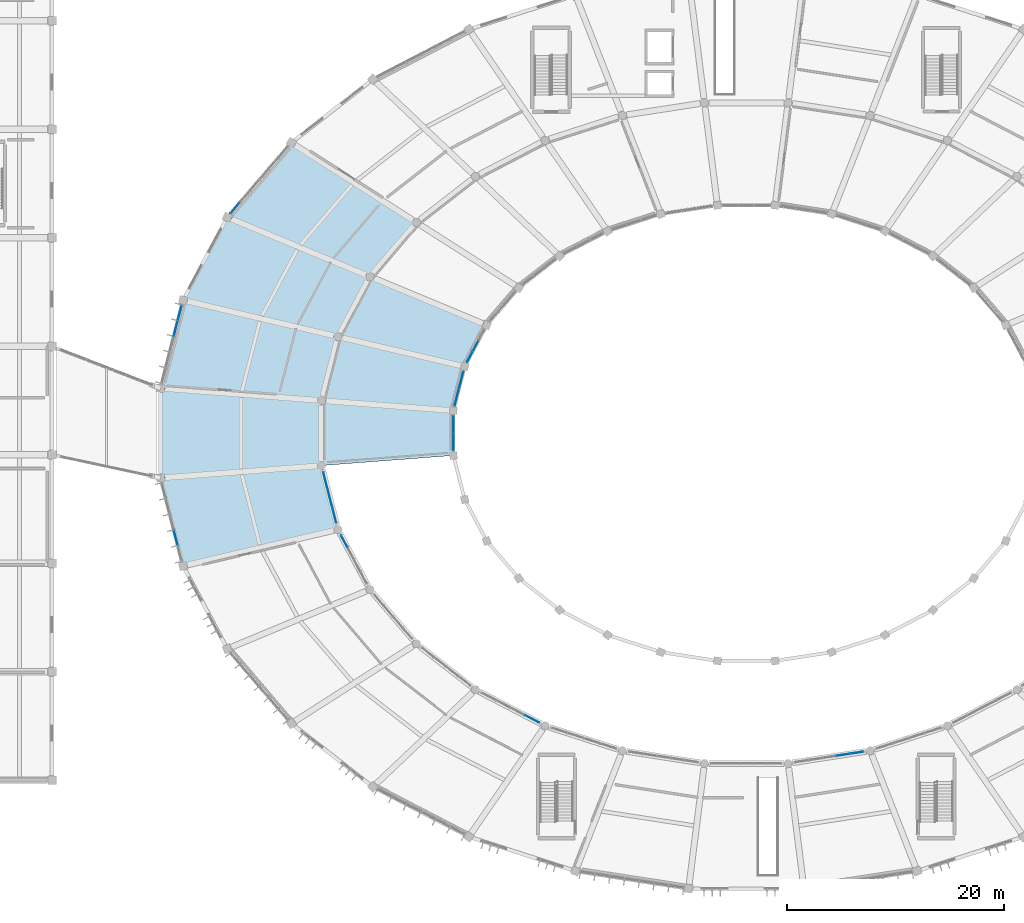
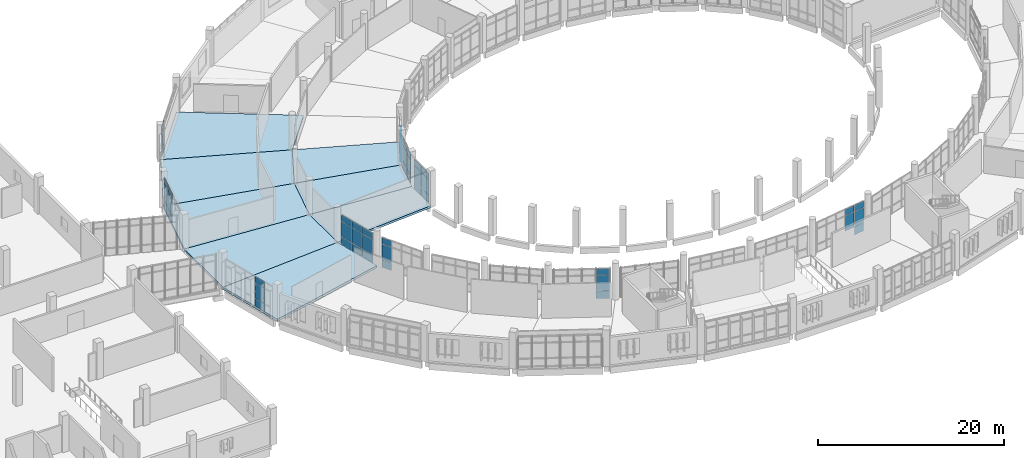
# One storey, part 88 of 179: 48 plates, 8 slabs, 10 elements without a shape of their own.
"""IFC4 building model written with IfcOpenShell, lengths in metres."""

from ifc_helpers import new_model, si_unit, direction, frame, origin, origin_2d, place, context, subcontext, project, spatial, polyline, rectangle, outline, extrude, material, layer, layer_set, type_object, element, aggregate, save


model = new_model("IFC4")

# Units and contexts
model_context = context("Model", 3, precision=1e-05, world=origin(), true_north=direction((0.0, 1.0)))
body_context = subcontext(model_context, "Body", "Model", "MODEL_VIEW")
ifc_project = project(units=[si_unit("LENGTHUNIT", "METRE"), si_unit("AREAUNIT", "SQUARE_METRE"), si_unit("VOLUMEUNIT", "CUBIC_METRE"), si_unit("PLANEANGLEUNIT", "RADIAN"), si_unit("MASSUNIT", "GRAM", prefix="KILO")], contexts=[model_context])

# Site, building, storey
site_placement = place(None, origin())
site = spatial("IfcSite", under=ifc_project, at=site_placement, CompositionType="ELEMENT")
building_placement = place(site_placement, origin())
building = spatial("IfcBuilding", under=site, at=building_placement, Name="Corvandel Quay Wholesale Market", CompositionType="ELEMENT")
storey_placement = place(building_placement, frame((0.0, 0.0, 6.0)))
storey = spatial("IfcBuildingStorey", under=building, at=storey_placement, Name="L01", CompositionType="ELEMENT", Elevation=6.0)

# Curtain wall, plates
ifc_material_1 = material(Name="Bronze anodised aluminium and low-E insulated glazing", Category="aluminium")
ifc_layer_1 = layer(ifc_material_1, 0.18603515625)
ifc_layer_set_1 = layer_set([ifc_layer_1], Name="Bronze anodised aluminium and low-E insulated glazing")
curtain_wall_type_1 = type_object("IfcCurtainWallType", Name="Stick Curtain Wall System CW28 H5520", PredefinedType="NOTDEFINED", material=ifc_layer_set_1)
curtain_wall_1_placement = place(storey_placement, origin())
curtain_wall_1 = element("IfcCurtainWall", 1, at=curtain_wall_1_placement, inside=storey, type_object=curtain_wall_type_1, Name="Curtain Wall CW-0041", PredefinedType="NOTDEFINED")
ifc_material_2 = material(Name="Solar-control low-E insulated glazing", Category="glass")
ifc_layer_2 = layer(ifc_material_2, 0.033935546875)
ifc_layer_set_2 = layer_set([ifc_layer_2], Name="Solar-control low-E insulated glazing")
plate_type_1 = type_object("IfcPlateType", Name="Acoustic Laminated Vision Panel PN02 34mm", PredefinedType="CURTAIN_PANEL", material=ifc_layer_set_2)
plate_1_placement = place(storey_placement, frame((89.055419921875, 50.035888671875, 0.02978515625), z_axis=(0.0, 0.0, 1.0), x_axis=(0.469933808689, 0.882701657102, 0.0)))
plate_1 = element("IfcPlate", 2, at=plate_1_placement, type_object=plate_type_1, Name="Glazing Panel CW-0041-P01-0", PredefinedType="CURTAIN_PANEL", context=body_context, shape_type="SweptSolid", body=[
    extrude(rectangle(XDim=1.071533203125, YDim=0.033935546875, at=origin_2d()), origin(), (0.0, 0.0, 1.0), 0.989990234375),
])
plate_2_placement = place(storey_placement, frame((88.521240234375, 49.03271484375, 0.02978515625), z_axis=(0.0, 0.0, 1.0), x_axis=(0.469933808689, 0.882701657102, 0.0)))
plate_2 = element("IfcPlate", 3, at=plate_2_placement, type_object=plate_type_1, Name="Glazing Panel CW-0041-P02-0", PredefinedType="CURTAIN_PANEL", context=body_context, shape_type="SweptSolid", body=[
    extrude(rectangle(XDim=1.071533203125, YDim=0.033935546875, at=origin_2d()), origin(), (0.0, 0.0, 1.0), 0.989990234375),
])
plate_3_placement = place(storey_placement, frame((88.521240234375, 49.03271484375, 1.080078125), z_axis=(0.0, 0.0, 1.0), x_axis=(0.469933808689, 0.882701657102, 0.0)))
plate_3 = element("IfcPlate", 4, at=plate_3_placement, type_object=plate_type_1, Name="Glazing Panel CW-0041-P02-1", PredefinedType="CURTAIN_PANEL", context=body_context, shape_type="SweptSolid", body=[
    extrude(rectangle(XDim=1.071533203125, YDim=0.033935546875, at=origin_2d()), origin(), (0.0, 0.0, 1.0), 1.989990234375),
])

ifc_layer_3 = layer(ifc_material_1, 0.162109375)
ifc_layer_set_3 = layer_set([ifc_layer_3], Name="Bronze anodised aluminium and low-E insulated glazing")
curtain_wall_type_2 = type_object("IfcCurtainWallType", Name="Stick Curtain Wall System CW01 H3090", PredefinedType="NOTDEFINED", material=ifc_layer_set_3)
curtain_wall_2_placement = place(storey_placement, origin())
curtain_wall_2 = element("IfcCurtainWall", 5, at=curtain_wall_2_placement, inside=storey, type_object=curtain_wall_type_2, Name="Curtain Wall CW-0044", PredefinedType="NOTDEFINED")
plate_4_placement = place(storey_placement, frame((87.721435546875, 46.887939453125, 0.02978515625), z_axis=(0.0, 0.0, 1.0), x_axis=(0.247844544316, 0.968799815159, 0.0)))
plate_4 = element("IfcPlate", 6, at=plate_4_placement, type_object=plate_type_1, Name="Glazing Panel CW-0044-P00-0", PredefinedType="CURTAIN_PANEL", context=body_context, shape_type="SweptSolid", body=[
    extrude(rectangle(XDim=1.56884765625, YDim=0.033935546875, at=origin_2d()), origin(), (0.0, 0.0, 1.0), 0.989990234375),
])
plate_5_placement = place(storey_placement, frame((87.721435546875, 46.887939453125, 1.080078125), z_axis=(0.0, 0.0, 1.0), x_axis=(0.247844544316, 0.968799815159, 0.0)))
plate_5 = element("IfcPlate", 7, at=plate_5_placement, type_object=plate_type_1, Name="Glazing Panel CW-0044-P00-1", PredefinedType="CURTAIN_PANEL", context=body_context, shape_type="SweptSolid", body=[
    extrude(rectangle(XDim=1.56884765625, YDim=0.033935546875, at=origin_2d()), origin(), (0.0, 0.0, 1.0), 1.989990234375),
])
plate_6_placement = place(storey_placement, frame((87.31640625, 45.30517578125, 0.02978515625), z_axis=(0.0, 0.0, 1.0), x_axis=(0.247844544316, 0.968799815159, 0.0)))
plate_6 = element("IfcPlate", 8, at=plate_6_placement, type_object=plate_type_1, Name="Glazing Panel CW-0044-P01-0", PredefinedType="CURTAIN_PANEL", context=body_context, shape_type="SweptSolid", body=[
    extrude(rectangle(XDim=1.56884765625, YDim=0.033935546875, at=origin_2d()), origin(), (0.0, 0.0, 1.0), 0.989990234375),
])
plate_7_placement = place(storey_placement, frame((87.31640625, 45.30517578125, 1.080078125), z_axis=(0.0, 0.0, 1.0), x_axis=(0.247844544316, 0.968799815159, 0.0)))
plate_7 = element("IfcPlate", 9, at=plate_7_placement, type_object=plate_type_1, Name="Glazing Panel CW-0044-P01-1", PredefinedType="CURTAIN_PANEL", context=body_context, shape_type="SweptSolid", body=[
    extrude(rectangle(XDim=1.56884765625, YDim=0.033935546875, at=origin_2d()), origin(), (0.0, 0.0, 1.0), 1.989990234375),
])

ifc_layer_4 = layer(ifc_material_1, 0.174072265625)
ifc_layer_set_4 = layer_set([ifc_layer_4], Name="Bronze anodised aluminium and low-E insulated glazing")
curtain_wall_type_3 = type_object("IfcCurtainWallType", Name="Stick Curtain Wall System CW02 H3180", PredefinedType="NOTDEFINED", material=ifc_layer_set_4)
curtain_wall_3_placement = place(storey_placement, origin())
curtain_wall_3 = element("IfcCurtainWall", 10, at=curtain_wall_3_placement, inside=storey, type_object=curtain_wall_type_3, Name="Curtain Wall CW-0046", PredefinedType="NOTDEFINED")
plate_8_placement = place(storey_placement, frame((87.0, 42.803955078125, 0.02978515625), z_axis=(0.0, 0.0, 1.0), x_axis=(0.0, 1.0, 0.0)))
plate_8 = element("IfcPlate", 11, at=plate_8_placement, type_object=plate_type_1, Name="Glazing Panel CW-0046-P00-0", PredefinedType="CURTAIN_PANEL", context=body_context, shape_type="SweptSolid", body=[
    extrude(rectangle(XDim=1.54296875, YDim=0.033935546875, at=origin_2d()), origin(), (0.0, 0.0, 1.0), 0.989990234375),
])
plate_9_placement = place(storey_placement, frame((87.0, 42.803955078125, 1.080078125), z_axis=(0.0, 0.0, 1.0), x_axis=(0.0, 1.0, 0.0)))
plate_9 = element("IfcPlate", 12, at=plate_9_placement, type_object=plate_type_1, Name="Glazing Panel CW-0046-P00-1", PredefinedType="CURTAIN_PANEL", context=body_context, shape_type="SweptSolid", body=[
    extrude(rectangle(XDim=1.54296875, YDim=0.033935546875, at=origin_2d()), origin(), (0.0, 0.0, 1.0), 1.989990234375),
])
plate_10_placement = place(storey_placement, frame((87.0, 41.196044921875, 0.02978515625), z_axis=(0.0, 0.0, 1.0), x_axis=(0.0, 1.0, 0.0)))
plate_10 = element("IfcPlate", 13, at=plate_10_placement, type_object=plate_type_1, Name="Glazing Panel CW-0046-P01-0", PredefinedType="CURTAIN_PANEL", context=body_context, shape_type="SweptSolid", body=[
    extrude(rectangle(XDim=1.54296875, YDim=0.033935546875, at=origin_2d()), origin(), (0.0, 0.0, 1.0), 0.989990234375),
])
plate_11_placement = place(storey_placement, frame((87.0, 41.196044921875, 1.080078125), z_axis=(0.0, 0.0, 1.0), x_axis=(0.0, 1.0, 0.0)))
plate_11 = element("IfcPlate", 14, at=plate_11_placement, type_object=plate_type_1, Name="Glazing Panel CW-0046-P01-1", PredefinedType="CURTAIN_PANEL", context=body_context, shape_type="SweptSolid", body=[
    extrude(rectangle(XDim=1.54296875, YDim=0.033935546875, at=origin_2d()), origin(), (0.0, 0.0, 1.0), 1.989990234375),
])

# Curtain wall, plate
ifc_layer_5 = layer(ifc_material_1, 0.174072265625)
ifc_layer_set_5 = layer_set([ifc_layer_5], Name="Bronze anodised aluminium and low-E insulated glazing")
curtain_wall_type_4 = type_object("IfcCurtainWallType", Name="Stick Curtain Wall System CW17 H4530", PredefinedType="NOTDEFINED", material=ifc_layer_set_5)
curtain_wall_4_placement = place(storey_placement, origin())
curtain_wall_4 = element("IfcCurtainWall", 15, at=curtain_wall_4_placement, inside=storey, type_object=curtain_wall_type_4, Name="Curtain Wall CW-0036", PredefinedType="NOTDEFINED")
ifc_layer_6 = layer(ifc_material_2, 0.0400390625)
ifc_layer_set_6 = layer_set([ifc_layer_6], Name="Solar-control low-E insulated glazing")
plate_type_2 = type_object("IfcPlateType", Name="Ceramic Fritted Spandrel Panel PN03 40mm", PredefinedType="CURTAIN_PANEL", material=ifc_layer_set_6)
plate_12_placement = place(storey_placement, frame((66.8828125, 62.751708984375, 3.1298828125), z_axis=(0.0, 0.0, 1.0), x_axis=(0.651568967347, 0.758589401976, 0.0)))
plate_12 = element("IfcPlate", 16, at=plate_12_placement, type_object=plate_type_2, Name="Glazing Panel CW-0036-P05-2", PredefinedType="CURTAIN_PANEL", context=body_context, shape_type="SweptSolid", body=[
    extrude(rectangle(XDim=1.29638671875, YDim=0.0400390625, at=origin_2d()), origin(), (0.0, 0.0, 1.0), 0.7900390625),
])

# Plate
plate_13_placement = place(storey_placement, frame((88.521240234375, 49.03271484375, 3.1298828125), z_axis=(0.0, 0.0, 1.0), x_axis=(0.469933808689, 0.882701657102, 0.0)))
plate_13 = element("IfcPlate", 17, at=plate_13_placement, type_object=plate_type_2, Name="Glazing Panel CW-0041-P02-2", PredefinedType="CURTAIN_PANEL", context=body_context, shape_type="SweptSolid", body=[
    extrude(rectangle(XDim=1.071533203125, YDim=0.0400390625, at=origin_2d()), origin(), (0.0, 0.0, 1.0), 0.7900390625),
])

aggregate(curtain_wall_1, [plate_1, plate_2, plate_3, plate_13])

# Curtain wall, plates
ifc_layer_7 = layer(ifc_material_1, 0.197998046875)
ifc_layer_set_7 = layer_set([ifc_layer_7], Name="Bronze anodised aluminium and low-E insulated glazing")
curtain_wall_type_5 = type_object("IfcCurtainWallType", Name="Stick Curtain Wall System CW19 H4710", PredefinedType="NOTDEFINED", material=ifc_layer_set_7)
curtain_wall_5_placement = place(storey_placement, origin())
curtain_wall_5 = element("IfcCurtainWall", 18, at=curtain_wall_5_placement, inside=storey, type_object=curtain_wall_type_5, Name="Curtain Wall CW-0043", PredefinedType="NOTDEFINED")
plate_14_placement = place(storey_placement, frame((61.7783203125, 53.0908203125, 3.1298828125), z_axis=(0.0, 0.0, 1.0), x_axis=(0.247675453076, 0.968843057437, 0.0)))
plate_14 = element("IfcPlate", 19, at=plate_14_placement, type_object=plate_type_2, Name="Glazing Panel CW-0043-P00-2", PredefinedType="CURTAIN_PANEL", context=body_context, shape_type="SweptSolid", body=[
    extrude(rectangle(XDim=1.429931640625, YDim=0.0400390625, at=origin_2d()), origin(), (0.0, 0.0, 1.0), 0.7900390625),
])
plate_15_placement = place(storey_placement, frame((61.407958984375, 51.642333984375, 3.1298828125), z_axis=(0.0, 0.0, 1.0), x_axis=(0.247675453076, 0.968843057437, 0.0)))
plate_15 = element("IfcPlate", 20, at=plate_15_placement, type_object=plate_type_2, Name="Glazing Panel CW-0043-P01-2", PredefinedType="CURTAIN_PANEL", context=body_context, shape_type="SweptSolid", body=[
    extrude(rectangle(XDim=1.429931640625, YDim=0.0400390625, at=origin_2d()), origin(), (0.0, 0.0, 1.0), 0.7900390625),
])

# Plate
plate_16_placement = place(storey_placement, frame((87.721435546875, 46.887939453125, 3.1298828125), z_axis=(0.0, 0.0, 1.0), x_axis=(0.247844544316, 0.968799815159, 0.0)))
plate_16 = element("IfcPlate", 21, at=plate_16_placement, type_object=plate_type_2, Name="Glazing Panel CW-0044-P00-2", PredefinedType="CURTAIN_PANEL", context=body_context, shape_type="SweptSolid", body=[
    extrude(rectangle(XDim=1.56884765625, YDim=0.0400390625, at=origin_2d()), origin(), (0.0, 0.0, 1.0), 0.7900390625),
])

plate_17_placement = place(storey_placement, frame((87.31640625, 45.30517578125, 3.1298828125), z_axis=(0.0, 0.0, 1.0), x_axis=(0.247844544316, 0.968799815159, 0.0)))
plate_17 = element("IfcPlate", 22, at=plate_17_placement, type_object=plate_type_2, Name="Glazing Panel CW-0044-P01-2", PredefinedType="CURTAIN_PANEL", context=body_context, shape_type="SweptSolid", body=[
    extrude(rectangle(XDim=1.56884765625, YDim=0.0400390625, at=origin_2d()), origin(), (0.0, 0.0, 1.0), 0.7900390625),
])

aggregate(curtain_wall_2, [plate_4, plate_5, plate_16, plate_6, plate_7, plate_17])

plate_18_placement = place(storey_placement, frame((87.0, 42.803955078125, 3.1298828125), z_axis=(0.0, 0.0, 1.0), x_axis=(0.0, 1.0, 0.0)))
plate_18 = element("IfcPlate", 23, at=plate_18_placement, type_object=plate_type_2, Name="Glazing Panel CW-0046-P00-2", PredefinedType="CURTAIN_PANEL", context=body_context, shape_type="SweptSolid", body=[
    extrude(rectangle(XDim=1.54296875, YDim=0.0400390625, at=origin_2d()), origin(), (0.0, 0.0, 1.0), 0.7900390625),
])

plate_19_placement = place(storey_placement, frame((87.0, 41.196044921875, 3.1298828125), z_axis=(0.0, 0.0, 1.0), x_axis=(0.0, 1.0, 0.0)))
plate_19 = element("IfcPlate", 24, at=plate_19_placement, type_object=plate_type_2, Name="Glazing Panel CW-0046-P01-2", PredefinedType="CURTAIN_PANEL", context=body_context, shape_type="SweptSolid", body=[
    extrude(rectangle(XDim=1.54296875, YDim=0.0400390625, at=origin_2d()), origin(), (0.0, 0.0, 1.0), 0.7900390625),
])

aggregate(curtain_wall_3, [plate_8, plate_9, plate_18, plate_10, plate_11, plate_19])

# Curtain wall, plate
ifc_layer_8 = layer(ifc_material_1, 0.162109375)
ifc_layer_set_8 = layer_set([ifc_layer_8], Name="Bronze anodised aluminium and low-E insulated glazing")
curtain_wall_type_6 = type_object("IfcCurtainWallType", Name="Stick Curtain Wall System CW21 H4890", PredefinedType="NOTDEFINED", material=ifc_layer_set_8)
curtain_wall_6_placement = place(storey_placement, origin())
curtain_wall_6 = element("IfcCurtainWall", 25, at=curtain_wall_6_placement, inside=storey, type_object=curtain_wall_type_6, Name="Curtain Wall CW-0048", PredefinedType="NOTDEFINED")
plate_20_placement = place(storey_placement, frame((61.407958984375, 32.357666015625, 3.1298828125), z_axis=(0.0, 0.0, 1.0), x_axis=(-0.247675453076, 0.968843057437, 0.0)))
plate_20 = element("IfcPlate", 26, at=plate_20_placement, type_object=plate_type_2, Name="Glazing Panel CW-0048-P03-2", PredefinedType="CURTAIN_PANEL", context=body_context, shape_type="SweptSolid", body=[
    extrude(rectangle(XDim=1.429931640625, YDim=0.0400390625, at=origin_2d()), origin(), (0.0, 0.0, 1.0), 0.7900390625),
])

# Curtain wall, plates
ifc_layer_9 = layer(ifc_material_1, 0.174072265625)
ifc_layer_set_9 = layer_set([ifc_layer_9], Name="Bronze anodised aluminium and low-E insulated glazing")
curtain_wall_type_7 = type_object("IfcCurtainWallType", Name="Stick Curtain Wall System CW07 H3630", PredefinedType="NOTDEFINED", material=ifc_layer_set_9)
curtain_wall_7_placement = place(storey_placement, origin())
curtain_wall_7 = element("IfcCurtainWall", 27, at=curtain_wall_7_placement, inside=storey, type_object=curtain_wall_type_7, Name="Curtain Wall CW-0049", PredefinedType="NOTDEFINED")
plate_21_placement = place(storey_placement, frame((75.199951171875, 37.633056640625, 3.1298828125), z_axis=(0.0, 0.0, 1.0), x_axis=(-0.247844544316, 0.968799815159, 0.0)))
plate_21 = element("IfcPlate", 28, at=plate_21_placement, type_object=plate_type_2, Name="Glazing Panel CW-0049-P00-2", PredefinedType="CURTAIN_PANEL", context=body_context, shape_type="SweptSolid", body=[
    extrude(rectangle(XDim=1.55908203125, YDim=0.0400390625, at=origin_2d()), origin(), (0.0, 0.0, 1.0), 0.7900390625),
])
plate_22_placement = place(storey_placement, frame((75.6025390625, 36.0595703125, 3.1298828125), z_axis=(0.0, 0.0, 1.0), x_axis=(-0.247844544316, 0.968799815159, 0.0)))
plate_22 = element("IfcPlate", 29, at=plate_22_placement, type_object=plate_type_2, Name="Glazing Panel CW-0049-P01-2", PredefinedType="CURTAIN_PANEL", context=body_context, shape_type="SweptSolid", body=[
    extrude(rectangle(XDim=1.55908203125, YDim=0.0400390625, at=origin_2d()), origin(), (0.0, 0.0, 1.0), 0.7900390625),
])
plate_23_placement = place(storey_placement, frame((76.0048828125, 34.486083984375, 3.1298828125), z_axis=(0.0, 0.0, 1.0), x_axis=(-0.247844544316, 0.968799815159, 0.0)))
plate_23 = element("IfcPlate", 30, at=plate_23_placement, type_object=plate_type_2, Name="Glazing Panel CW-0049-P02-2", PredefinedType="CURTAIN_PANEL", context=body_context, shape_type="SweptSolid", body=[
    extrude(rectangle(XDim=1.55908203125, YDim=0.0400390625, at=origin_2d()), origin(), (0.0, 0.0, 1.0), 0.7900390625),
])

# Curtain wall, plate
ifc_layer_10 = layer(ifc_material_1, 0.18603515625)
ifc_layer_set_10 = layer_set([ifc_layer_10], Name="Bronze anodised aluminium and low-E insulated glazing")
curtain_wall_type_8 = type_object("IfcCurtainWallType", Name="Stick Curtain Wall System CW08 H3720", PredefinedType="NOTDEFINED", material=ifc_layer_set_10)
curtain_wall_8_placement = place(storey_placement, origin())
curtain_wall_8 = element("IfcCurtainWall", 31, at=curtain_wall_8_placement, inside=storey, type_object=curtain_wall_type_8, Name="Curtain Wall CW-0051", PredefinedType="NOTDEFINED")
plate_24_placement = place(storey_placement, frame((76.935302734375, 32.0283203125, 3.1298828125), z_axis=(0.0, 0.0, 1.0), x_axis=(-0.470087862033, 0.882619624736, 0.0)))
plate_24 = element("IfcPlate", 32, at=plate_24_placement, type_object=plate_type_2, Name="Glazing Panel CW-0051-P00-2", PredefinedType="CURTAIN_PANEL", context=body_context, shape_type="SweptSolid", body=[
    extrude(rectangle(XDim=1.20458984375, YDim=0.0400390625, at=origin_2d()), origin(), (0.0, 0.0, 1.0), 0.7900390625),
])

ifc_layer_11 = layer(ifc_material_1, 0.162109375)
ifc_layer_set_11 = layer_set([ifc_layer_11], Name="Bronze anodised aluminium and low-E insulated glazing")
curtain_wall_type_9 = type_object("IfcCurtainWallType", Name="Stick Curtain Wall System CW11 H3990", PredefinedType="NOTDEFINED", material=ifc_layer_set_11)
curtain_wall_9_placement = place(storey_placement, origin())
curtain_wall_9 = element("IfcCurtainWall", 33, at=curtain_wall_9_placement, inside=storey, type_object=curtain_wall_type_9, Name="Curtain Wall CW-0061", PredefinedType="NOTDEFINED")
plate_25_placement = place(storey_placement, frame((94.255126953125, 15.639892578125, 3.1298828125), z_axis=(0.0, 0.0, 1.0), x_axis=(-0.887332978338, 0.461129250378, 0.0)))
plate_25 = element("IfcPlate", 34, at=plate_25_placement, type_object=plate_type_2, Name="Glazing Panel CW-0061-P03-2", PredefinedType="CURTAIN_PANEL", context=body_context, shape_type="SweptSolid", body=[
    extrude(rectangle(XDim=1.44189453125, YDim=0.0400390625, at=origin_2d()), origin(), (0.0, 0.0, 1.0), 0.7900390625),
])

# Curtain wall, plates
ifc_layer_12 = layer(ifc_material_1, 0.14990234375)
ifc_layer_set_12 = layer_set([ifc_layer_12], Name="Bronze anodised aluminium and low-E insulated glazing")
curtain_wall_type_10 = type_object("IfcCurtainWallType", Name="Stick Curtain Wall System CW15 H4350", PredefinedType="NOTDEFINED", material=ifc_layer_set_12)
curtain_wall_10_placement = place(storey_placement, origin())
curtain_wall_10 = element("IfcCurtainWall", 35, at=curtain_wall_10_placement, inside=storey, type_object=curtain_wall_type_10, Name="Curtain Wall CW-0073", PredefinedType="NOTDEFINED")
plate_26_placement = place(storey_placement, frame((122.91357421875, 12.332275390625, 3.1298828125), z_axis=(0.0, 0.0, 1.0), x_axis=(0.98825506746, 0.152813355565, 0.0)))
plate_26 = element("IfcPlate", 36, at=plate_26_placement, type_object=plate_type_2, Name="Glazing Panel CW-0073-P03-2", PredefinedType="CURTAIN_PANEL", context=body_context, shape_type="SweptSolid", body=[
    extrude(rectangle(XDim=1.225830078125, YDim=0.0400390625, at=origin_2d()), origin(), (0.0, 0.0, 1.0), 0.7900390625),
])
plate_27_placement = place(storey_placement, frame((124.189208984375, 12.529541015625, 3.1298828125), z_axis=(0.0, 0.0, 1.0), x_axis=(0.98825506746, 0.152813355565, 0.0)))
plate_27 = element("IfcPlate", 37, at=plate_27_placement, type_object=plate_type_2, Name="Glazing Panel CW-0073-P04-2", PredefinedType="CURTAIN_PANEL", context=body_context, shape_type="SweptSolid", body=[
    extrude(rectangle(XDim=1.225830078125, YDim=0.0400390625, at=origin_2d()), origin(), (0.0, 0.0, 1.0), 0.7900390625),
])

# Slabs
ifc_material_3 = material(Name="Concrete C40/50", Category="concrete")
ifc_layer_13 = layer(ifc_material_3, 0.280029296875)
ifc_layer_set_13 = layer_set([ifc_layer_13], Name="Concrete C40/50")
slab_type_1 = type_object("IfcSlabType", Name="Composite Sorting Gallery Floor Slab 280", PredefinedType="FLOOR", material=ifc_layer_set_13)
slab_1_placement = place(storey_placement, frame((0.0, 0.0, -0.280029296875)))
element("IfcSlab", 38, at=slab_1_placement, inside=storey, type_object=slab_type_1, Name="Slab SLB-0070", PredefinedType="FLOOR", context=body_context, shape_type="SweptSolid", body=[
    extrude(outline(polyline([(90.072998046875, 51.947021484375), (88.0380859375, 48.125), (76.35498046875, 50.882080078125), (79.305908203125, 56.423095703125), (90.072998046875, 51.947021484375)])), origin(), (0.0, 0.0, 1.0), 0.280029296875),
])
slab_2_placement = place(storey_placement, frame((0.0, 0.0, -0.280029296875)))
element("IfcSlab", 39, at=slab_2_placement, inside=storey, type_object=slab_type_1, Name="Slab SLB-0075", PredefinedType="FLOOR", context=body_context, shape_type="SweptSolid", body=[
    extrude(outline(polyline([(88.0380859375, 48.125), (87.0, 44.068115234375), (74.85009765625, 44.9990234375), (76.35498046875, 50.882080078125), (88.0380859375, 48.125)])), origin(), (0.0, 0.0, 1.0), 0.280029296875),
])
slab_3_placement = place(storey_placement, frame((0.0, 0.0, -0.280029296875)))
element("IfcSlab", 40, at=slab_3_placement, inside=storey, type_object=slab_type_1, Name="Slab SLB-0080", PredefinedType="FLOOR", context=body_context, shape_type="SweptSolid", body=[
    extrude(outline(polyline([(87.0, 44.068115234375), (87.0, 39.931884765625), (74.85009765625, 39.0009765625), (74.85009765625, 44.9990234375), (87.0, 44.068115234375)])), origin(), (0.0, 0.0, 1.0), 0.280029296875),
])
ifc_layer_14 = layer(ifc_material_3, 0.300048828125)
ifc_layer_set_14 = layer_set([ifc_layer_14], Name="Concrete C40/50")
slab_type_2 = type_object("IfcSlabType", Name="Composite Trading Gallery Floor Slab 300", PredefinedType="FLOOR", material=ifc_layer_set_14)
slab_4_placement = place(storey_placement, frame((0.0, 0.0, -0.300048828125)))
element("IfcSlab", 41, at=slab_4_placement, inside=storey, type_object=slab_type_2, Name="Slab SLB-0064", PredefinedType="FLOOR", context=body_context, shape_type="SweptSolid", body=[
    extrude(outline(polyline([(83.590087890625, 61.410888671875), (79.305908203125, 56.423095703125), (66.14599609375, 61.89404296875), (72.054931640625, 68.77294921875), (83.590087890625, 61.410888671875)])), origin(), (0.0, 0.0, 1.0), 0.300048828125),
])
slab_5_placement = place(storey_placement, frame((0.0, 0.0, -0.300048828125)))
element("IfcSlab", 42, at=slab_5_placement, inside=storey, type_object=slab_type_2, Name="Slab SLB-0069", PredefinedType="FLOOR", context=body_context, shape_type="SweptSolid", body=[
    extrude(outline(polyline([(79.305908203125, 56.423095703125), (76.35498046875, 50.882080078125), (62.074951171875, 54.2509765625), (66.14599609375, 61.89404296875), (79.305908203125, 56.423095703125)])), origin(), (0.0, 0.0, 1.0), 0.300048828125),
])
slab_6_placement = place(storey_placement, frame((0.0, 0.0, -0.300048828125)))
element("IfcSlab", 43, at=slab_6_placement, inside=storey, type_object=slab_type_2, Name="Slab SLB-0074", PredefinedType="FLOOR", context=body_context, shape_type="SweptSolid", body=[
    extrude(outline(polyline([(76.35498046875, 50.882080078125), (74.85009765625, 44.9990234375), (60.0, 46.136962890625), (62.074951171875, 54.2509765625), (76.35498046875, 50.882080078125)])), origin(), (0.0, 0.0, 1.0), 0.300048828125),
])
slab_7_placement = place(storey_placement, frame((0.0, 0.0, -0.300048828125)))
element("IfcSlab", 44, at=slab_7_placement, inside=storey, type_object=slab_type_2, Name="Slab SLB-0079", PredefinedType="FLOOR", context=body_context, shape_type="SweptSolid", body=[
    extrude(outline(polyline([(74.85009765625, 44.9990234375), (74.85009765625, 39.0009765625), (60.0, 37.863037109375), (60.0, 46.136962890625), (74.85009765625, 44.9990234375)])), origin(), (0.0, 0.0, 1.0), 0.300048828125),
])
slab_8_placement = place(storey_placement, frame((0.0, 0.0, -0.300048828125)))
element("IfcSlab", 45, at=slab_8_placement, inside=storey, type_object=slab_type_2, Name="Slab SLB-0084", PredefinedType="FLOOR", context=body_context, shape_type="SweptSolid", body=[
    extrude(outline(polyline([(74.85009765625, 39.0009765625), (76.35498046875, 33.117919921875), (62.074951171875, 29.7490234375), (60.0, 37.863037109375), (74.85009765625, 39.0009765625)])), origin(), (0.0, 0.0, 1.0), 0.300048828125),
])

# Plate
ifc_layer_15 = layer(ifc_material_2, 0.028076171875)
ifc_layer_set_15 = layer_set([ifc_layer_15], Name="Solar-control low-E insulated glazing")
plate_type_3 = type_object("IfcPlateType", Name="Double Low-E Vision Panel PN01 28mm", PredefinedType="CURTAIN_PANEL", material=ifc_layer_set_15)
plate_28_placement = place(storey_placement, frame((66.8828125, 62.751708984375, 0.02978515625), z_axis=(0.0, 0.0, 1.0), x_axis=(0.651568967347, 0.758589401976, 0.0)))
plate_28 = element("IfcPlate", 46, at=plate_28_placement, type_object=plate_type_3, Name="Glazing Panel CW-0036-P05-0", PredefinedType="CURTAIN_PANEL", context=body_context, shape_type="SweptSolid", body=[
    extrude(rectangle(XDim=1.29638671875, YDim=0.028076171875, at=origin_2d()), origin(), (0.0, 0.0, 1.0), 0.989990234375),
])

plate_29_placement = place(storey_placement, frame((66.8828125, 62.751708984375, 1.080078125), z_axis=(0.0, 0.0, 1.0), x_axis=(0.651568967347, 0.758589401976, 0.0)))
plate_29 = element("IfcPlate", 47, at=plate_29_placement, type_object=plate_type_3, Name="Glazing Panel CW-0036-P05-1", PredefinedType="CURTAIN_PANEL", context=body_context, shape_type="SweptSolid", body=[
    extrude(rectangle(XDim=1.29638671875, YDim=0.028076171875, at=origin_2d()), origin(), (0.0, 0.0, 1.0), 1.989990234375),
])

aggregate(curtain_wall_4, [plate_28, plate_29, plate_12])

plate_30_placement = place(storey_placement, frame((61.7783203125, 53.0908203125, 0.02978515625), z_axis=(0.0, 0.0, 1.0), x_axis=(0.247675453076, 0.968843057437, 0.0)))
plate_30 = element("IfcPlate", 48, at=plate_30_placement, type_object=plate_type_3, Name="Glazing Panel CW-0043-P00-0", PredefinedType="CURTAIN_PANEL", context=body_context, shape_type="SweptSolid", body=[
    extrude(rectangle(XDim=1.429931640625, YDim=0.028076171875, at=origin_2d()), origin(), (0.0, 0.0, 1.0), 0.989990234375),
])

plate_31_placement = place(storey_placement, frame((61.7783203125, 53.0908203125, 1.080078125), z_axis=(0.0, 0.0, 1.0), x_axis=(0.247675453076, 0.968843057437, 0.0)))
plate_31 = element("IfcPlate", 49, at=plate_31_placement, type_object=plate_type_3, Name="Glazing Panel CW-0043-P00-1", PredefinedType="CURTAIN_PANEL", context=body_context, shape_type="SweptSolid", body=[
    extrude(rectangle(XDim=1.429931640625, YDim=0.028076171875, at=origin_2d()), origin(), (0.0, 0.0, 1.0), 1.989990234375),
])

plate_32_placement = place(storey_placement, frame((61.407958984375, 51.642333984375, 0.02978515625), z_axis=(0.0, 0.0, 1.0), x_axis=(0.247675453076, 0.968843057437, 0.0)))
plate_32 = element("IfcPlate", 50, at=plate_32_placement, type_object=plate_type_3, Name="Glazing Panel CW-0043-P01-0", PredefinedType="CURTAIN_PANEL", context=body_context, shape_type="SweptSolid", body=[
    extrude(rectangle(XDim=1.429931640625, YDim=0.028076171875, at=origin_2d()), origin(), (0.0, 0.0, 1.0), 0.989990234375),
])

plate_33_placement = place(storey_placement, frame((61.407958984375, 51.642333984375, 1.080078125), z_axis=(0.0, 0.0, 1.0), x_axis=(0.247675453076, 0.968843057437, 0.0)))
plate_33 = element("IfcPlate", 51, at=plate_33_placement, type_object=plate_type_3, Name="Glazing Panel CW-0043-P01-1", PredefinedType="CURTAIN_PANEL", context=body_context, shape_type="SweptSolid", body=[
    extrude(rectangle(XDim=1.429931640625, YDim=0.028076171875, at=origin_2d()), origin(), (0.0, 0.0, 1.0), 1.989990234375),
])

aggregate(curtain_wall_5, [plate_30, plate_31, plate_14, plate_32, plate_33, plate_15])

plate_34_placement = place(storey_placement, frame((61.407958984375, 32.357666015625, 0.02978515625), z_axis=(0.0, 0.0, 1.0), x_axis=(-0.247675453076, 0.968843057437, 0.0)))
plate_34 = element("IfcPlate", 52, at=plate_34_placement, type_object=plate_type_3, Name="Glazing Panel CW-0048-P03-0", PredefinedType="CURTAIN_PANEL", context=body_context, shape_type="SweptSolid", body=[
    extrude(rectangle(XDim=1.429931640625, YDim=0.028076171875, at=origin_2d()), origin(), (0.0, 0.0, 1.0), 0.989990234375),
])

plate_35_placement = place(storey_placement, frame((61.407958984375, 32.357666015625, 1.080078125), z_axis=(0.0, 0.0, 1.0), x_axis=(-0.247675453076, 0.968843057437, 0.0)))
plate_35 = element("IfcPlate", 53, at=plate_35_placement, type_object=plate_type_3, Name="Glazing Panel CW-0048-P03-1", PredefinedType="CURTAIN_PANEL", context=body_context, shape_type="SweptSolid", body=[
    extrude(rectangle(XDim=1.429931640625, YDim=0.028076171875, at=origin_2d()), origin(), (0.0, 0.0, 1.0), 1.989990234375),
])

aggregate(curtain_wall_6, [plate_34, plate_35, plate_20])

plate_36_placement = place(storey_placement, frame((75.199951171875, 37.633056640625, 0.02978515625), z_axis=(0.0, 0.0, 1.0), x_axis=(-0.247844544316, 0.968799815159, 0.0)))
plate_36 = element("IfcPlate", 54, at=plate_36_placement, type_object=plate_type_3, Name="Glazing Panel CW-0049-P00-0", PredefinedType="CURTAIN_PANEL", context=body_context, shape_type="SweptSolid", body=[
    extrude(rectangle(XDim=1.55908203125, YDim=0.028076171875, at=origin_2d()), origin(), (0.0, 0.0, 1.0), 0.989990234375),
])

plate_37_placement = place(storey_placement, frame((75.199951171875, 37.633056640625, 1.080078125), z_axis=(0.0, 0.0, 1.0), x_axis=(-0.247844544316, 0.968799815159, 0.0)))
plate_37 = element("IfcPlate", 55, at=plate_37_placement, type_object=plate_type_3, Name="Glazing Panel CW-0049-P00-1", PredefinedType="CURTAIN_PANEL", context=body_context, shape_type="SweptSolid", body=[
    extrude(rectangle(XDim=1.55908203125, YDim=0.028076171875, at=origin_2d()), origin(), (0.0, 0.0, 1.0), 1.989990234375),
])

plate_38_placement = place(storey_placement, frame((75.6025390625, 36.0595703125, 0.02978515625), z_axis=(0.0, 0.0, 1.0), x_axis=(-0.247844544316, 0.968799815159, 0.0)))
plate_38 = element("IfcPlate", 56, at=plate_38_placement, type_object=plate_type_3, Name="Glazing Panel CW-0049-P01-0", PredefinedType="CURTAIN_PANEL", context=body_context, shape_type="SweptSolid", body=[
    extrude(rectangle(XDim=1.55908203125, YDim=0.028076171875, at=origin_2d()), origin(), (0.0, 0.0, 1.0), 0.989990234375),
])

plate_39_placement = place(storey_placement, frame((75.6025390625, 36.0595703125, 1.080078125), z_axis=(0.0, 0.0, 1.0), x_axis=(-0.247844544316, 0.968799815159, 0.0)))
plate_39 = element("IfcPlate", 57, at=plate_39_placement, type_object=plate_type_3, Name="Glazing Panel CW-0049-P01-1", PredefinedType="CURTAIN_PANEL", context=body_context, shape_type="SweptSolid", body=[
    extrude(rectangle(XDim=1.55908203125, YDim=0.028076171875, at=origin_2d()), origin(), (0.0, 0.0, 1.0), 1.989990234375),
])

plate_40_placement = place(storey_placement, frame((76.0048828125, 34.486083984375, 0.02978515625), z_axis=(0.0, 0.0, 1.0), x_axis=(-0.247844544316, 0.968799815159, 0.0)))
plate_40 = element("IfcPlate", 58, at=plate_40_placement, type_object=plate_type_3, Name="Glazing Panel CW-0049-P02-0", PredefinedType="CURTAIN_PANEL", context=body_context, shape_type="SweptSolid", body=[
    extrude(rectangle(XDim=1.55908203125, YDim=0.028076171875, at=origin_2d()), origin(), (0.0, 0.0, 1.0), 0.989990234375),
])

plate_41_placement = place(storey_placement, frame((76.0048828125, 34.486083984375, 1.080078125), z_axis=(0.0, 0.0, 1.0), x_axis=(-0.247844544316, 0.968799815159, 0.0)))
plate_41 = element("IfcPlate", 59, at=plate_41_placement, type_object=plate_type_3, Name="Glazing Panel CW-0049-P02-1", PredefinedType="CURTAIN_PANEL", context=body_context, shape_type="SweptSolid", body=[
    extrude(rectangle(XDim=1.55908203125, YDim=0.028076171875, at=origin_2d()), origin(), (0.0, 0.0, 1.0), 1.989990234375),
])

aggregate(curtain_wall_7, [plate_36, plate_37, plate_21, plate_38, plate_39, plate_22, plate_40, plate_41, plate_23])

plate_42_placement = place(storey_placement, frame((76.935302734375, 32.0283203125, 0.02978515625), z_axis=(0.0, 0.0, 1.0), x_axis=(-0.470087862033, 0.882619624736, 0.0)))
plate_42 = element("IfcPlate", 60, at=plate_42_placement, type_object=plate_type_3, Name="Glazing Panel CW-0051-P00-0", PredefinedType="CURTAIN_PANEL", context=body_context, shape_type="SweptSolid", body=[
    extrude(rectangle(XDim=1.20458984375, YDim=0.028076171875, at=origin_2d()), origin(), (0.0, 0.0, 1.0), 0.989990234375),
])

plate_43_placement = place(storey_placement, frame((76.935302734375, 32.0283203125, 1.080078125), z_axis=(0.0, 0.0, 1.0), x_axis=(-0.470087862033, 0.882619624736, 0.0)))
plate_43 = element("IfcPlate", 61, at=plate_43_placement, type_object=plate_type_3, Name="Glazing Panel CW-0051-P00-1", PredefinedType="CURTAIN_PANEL", context=body_context, shape_type="SweptSolid", body=[
    extrude(rectangle(XDim=1.20458984375, YDim=0.028076171875, at=origin_2d()), origin(), (0.0, 0.0, 1.0), 1.989990234375),
])

aggregate(curtain_wall_8, [plate_42, plate_43, plate_24])

plate_44_placement = place(storey_placement, frame((94.255126953125, 15.639892578125, 0.02978515625), z_axis=(0.0, 0.0, 1.0), x_axis=(-0.887332978338, 0.461129250378, 0.0)))
plate_44 = element("IfcPlate", 62, at=plate_44_placement, type_object=plate_type_3, Name="Glazing Panel CW-0061-P03-0", PredefinedType="CURTAIN_PANEL", context=body_context, shape_type="SweptSolid", body=[
    extrude(rectangle(XDim=1.44189453125, YDim=0.028076171875, at=origin_2d()), origin(), (0.0, 0.0, 1.0), 0.989990234375),
])

plate_45_placement = place(storey_placement, frame((94.255126953125, 15.639892578125, 1.080078125), z_axis=(0.0, 0.0, 1.0), x_axis=(-0.887332978338, 0.461129250378, 0.0)))
plate_45 = element("IfcPlate", 63, at=plate_45_placement, type_object=plate_type_3, Name="Glazing Panel CW-0061-P03-1", PredefinedType="CURTAIN_PANEL", context=body_context, shape_type="SweptSolid", body=[
    extrude(rectangle(XDim=1.44189453125, YDim=0.028076171875, at=origin_2d()), origin(), (0.0, 0.0, 1.0), 1.989990234375),
])

aggregate(curtain_wall_9, [plate_44, plate_45, plate_25])

plate_46_placement = place(storey_placement, frame((122.91357421875, 12.332275390625, 1.080078125), z_axis=(0.0, 0.0, 1.0), x_axis=(0.98825506746, 0.152813355565, 0.0)))
plate_46 = element("IfcPlate", 64, at=plate_46_placement, type_object=plate_type_3, Name="Glazing Panel CW-0073-P03-1", PredefinedType="CURTAIN_PANEL", context=body_context, shape_type="SweptSolid", body=[
    extrude(rectangle(XDim=1.225830078125, YDim=0.028076171875, at=origin_2d()), origin(), (0.0, 0.0, 1.0), 1.989990234375),
])

plate_47_placement = place(storey_placement, frame((124.189208984375, 12.529541015625, 0.02978515625), z_axis=(0.0, 0.0, 1.0), x_axis=(0.98825506746, 0.152813355565, 0.0)))
plate_47 = element("IfcPlate", 65, at=plate_47_placement, type_object=plate_type_3, Name="Glazing Panel CW-0073-P04-0", PredefinedType="CURTAIN_PANEL", context=body_context, shape_type="SweptSolid", body=[
    extrude(rectangle(XDim=1.225830078125, YDim=0.028076171875, at=origin_2d()), origin(), (0.0, 0.0, 1.0), 0.989990234375),
])

plate_48_placement = place(storey_placement, frame((124.189208984375, 12.529541015625, 1.080078125), z_axis=(0.0, 0.0, 1.0), x_axis=(0.98825506746, 0.152813355565, 0.0)))
plate_48 = element("IfcPlate", 66, at=plate_48_placement, type_object=plate_type_3, Name="Glazing Panel CW-0073-P04-1", PredefinedType="CURTAIN_PANEL", context=body_context, shape_type="SweptSolid", body=[
    extrude(rectangle(XDim=1.225830078125, YDim=0.028076171875, at=origin_2d()), origin(), (0.0, 0.0, 1.0), 1.989990234375),
])

aggregate(curtain_wall_10, [plate_46, plate_26, plate_47, plate_48, plate_27])

save(model, "model.ifc")
